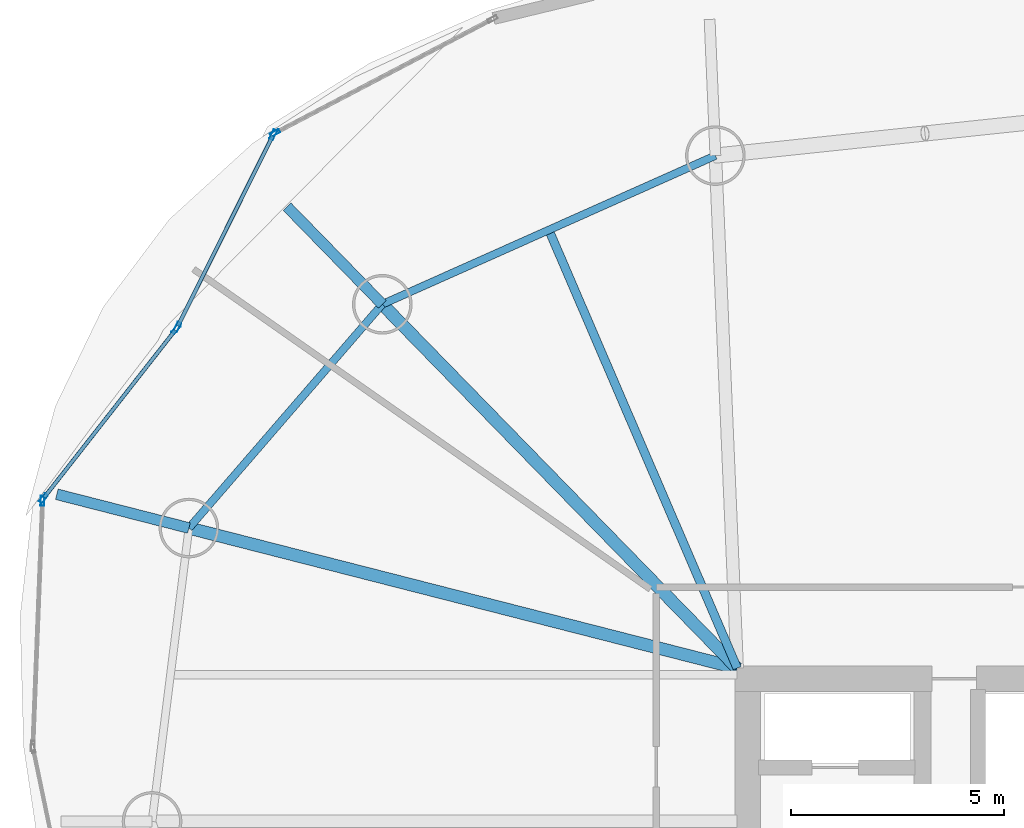
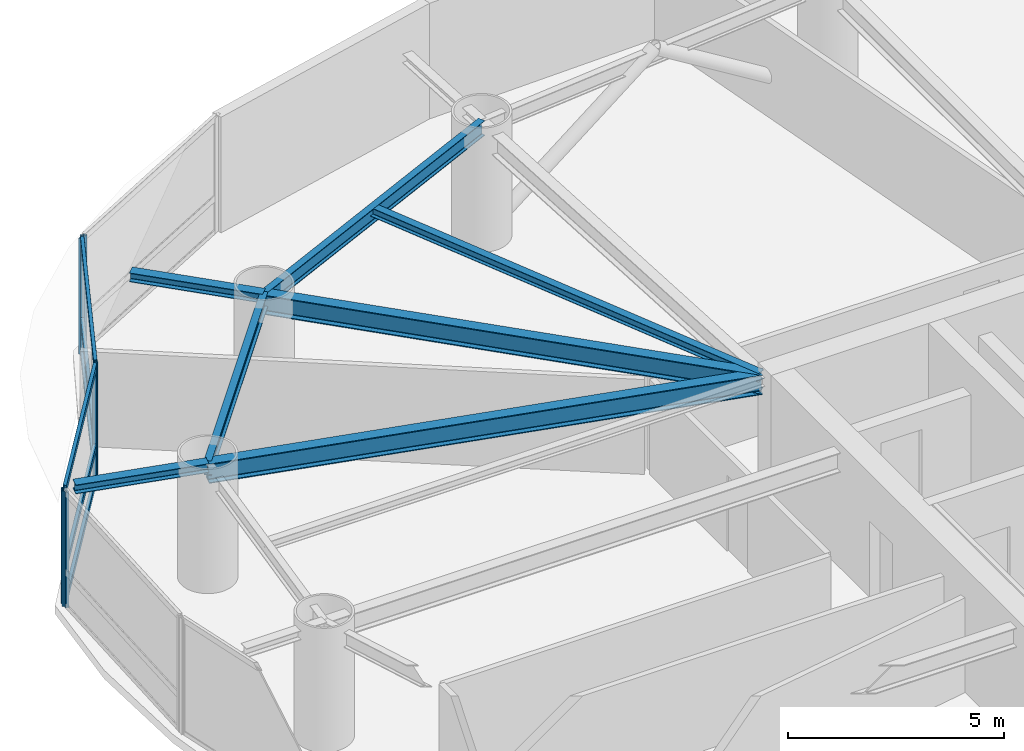
# One storey, part 13 of 23: 12 members, 7 beams, 4 elements without a shape of their own.
"""IFC4 building model written with IfcOpenShell, lengths in metres."""

from ifc_helpers import new_model, si_unit, direction, frame, origin, origin_2d, place, context, subcontext, project, spatial, hollow_rectangle, i_section, extrude, material, layer, layer_set, material_profile, profile_set, type_object, element, aggregate, save


model = new_model("IFC4")

# Units and contexts
model_context = context("Model", 3, precision=1e-05, world=origin(), true_north=direction((0.0, 1.0)))
body_context = subcontext(model_context, "Body", "Model", "MODEL_VIEW")
ifc_project = project(units=[si_unit("LENGTHUNIT", "METRE"), si_unit("AREAUNIT", "SQUARE_METRE"), si_unit("VOLUMEUNIT", "CUBIC_METRE"), si_unit("PLANEANGLEUNIT", "RADIAN"), si_unit("MASSUNIT", "GRAM", prefix="KILO")], contexts=[model_context])

# Site, building, storey
site_placement = place(None, origin())
site = spatial("IfcSite", under=ifc_project, at=site_placement, CompositionType="ELEMENT")
building_placement = place(site_placement, origin())
building = spatial("IfcBuilding", under=site, at=building_placement, Name="Bramvorn Convention Spire", CompositionType="ELEMENT")
storey_placement = place(building_placement, frame((0.0, 0.0, 158.800048828125)))
storey = spatial("IfcBuildingStorey", under=building, at=storey_placement, Name="L40", CompositionType="ELEMENT", Elevation=158.800048828125)

# Beams
ifc_material_1 = material(Name="Steel CSA G40.21 Grade 350 (350W)", Category="steel")
ifc_material_profile_1 = material_profile(ifc_material_1, i_section(OverallWidth=0.201904296875, OverallDepth=0.2470703125, WebThickness=0.00732421875, FlangeThickness=0.010986328125, FilletRadius=0.011962890625, at=origin_2d()))
ifc_profile_set_1 = profile_set([ifc_material_profile_1], Name="Steel CSA G40.21 Grade 350 (350W) - W250X49")
beam_type_1 = type_object("IfcBeamType", Name="BM-W250X49", PredefinedType="JOIST", material=ifc_profile_set_1)
beam_1_placement = place(storey_placement, frame((26.75, 33.449951171875, 3.136474609375), z_axis=(-0.394937739893, 0.918707886985, 0.0), x_axis=(-0.918707886985, -0.394937739893, 0.0)))
element("IfcBeam", 1, at=beam_1_placement, inside=storey, type_object=beam_type_1, Name="L40 composite floor joist 07", PredefinedType="JOIST", context=body_context, shape_type="SweptSolid", body=[
    extrude(i_section(OverallWidth=0.201904296875, OverallDepth=0.2470703125, WebThickness=0.00732421875, FlangeThickness=0.010986328125, FilletRadius=0.011962890625, at=origin_2d()), origin(), (0.0, 0.0, 1.0), 11.19384765625),
])
ifc_material_profile_2 = material_profile(ifc_material_1, i_section(OverallWidth=0.25390625, OverallDepth=0.2529296875, WebThickness=0.008544921875, FlangeThickness=0.01416015625, FilletRadius=0.011962890625, at=origin_2d()))
ifc_profile_set_2 = profile_set([ifc_material_profile_2], Name="Steel CSA G40.21 Grade 350 (350W) - W250X73")
beam_type_2 = type_object("IfcBeamType", Name="BM-W250X73", PredefinedType="BEAM", material=ifc_profile_set_2)
for number, where, z_axis, x_axis, name in (
    (2, (18.420166015625, 41.9892578125, 3.133544921875), (-0.69827808588, 0.715826595468, 0.0), (-0.715826595468, -0.69827808588, 0.0), "L40 slab-edge cantilever tip beam MC08"),
    (3, (13.88232421875, 36.73779296875, 3.133544921875), (-0.968868276357, 0.24757678217, 0.0), (-0.24757678217, -0.968868276357, 0.0), "L40 slab-edge cantilever tip beam MC09"),
):
    element("IfcBeam", number, at=place(storey_placement, frame(where, z_axis=z_axis, x_axis=x_axis)), inside=storey, type_object=beam_type_2, Name=name, PredefinedType="BEAM", context=body_context, shape_type="SweptSolid", body=[
        extrude(i_section(OverallWidth=0.25390625, OverallDepth=0.2529296875, WebThickness=0.008544921875, FlangeThickness=0.01416015625, FilletRadius=0.011962890625, at=origin_2d()), origin(), (0.0, 0.0, 1.0), 3.199951171875),
    ])
ifc_material_profile_3 = material_profile(ifc_material_1, i_section(OverallWidth=0.180908203125, OverallDepth=0.4169921875, WebThickness=0.010986328125, FlangeThickness=0.018310546875, FilletRadius=0.01611328125, at=origin_2d()))
ifc_profile_set_3 = profile_set([ifc_material_profile_3], Name="Steel CSA G40.21 Grade 350 (350W) - W410X85")
beam_type_3 = type_object("IfcBeamType", Name="BM-W410X85", PredefinedType="JOIST", material=ifc_profile_set_3)
beam_2_placement = place(storey_placement, frame((26.23828125, 45.478759765625, 3.051513671875), z_axis=(-0.913169534701, -0.407579931908, 0.0), x_axis=(0.407579931908, -0.913169534701, 0.0)))
element("IfcBeam", 4, at=beam_2_placement, inside=storey, type_object=beam_type_3, Name="L40 mega-column ring beam 07", PredefinedType="JOIST", context=body_context, shape_type="SweptSolid", body=[
    extrude(i_section(OverallWidth=0.180908203125, OverallDepth=0.4169921875, WebThickness=0.010986328125, FlangeThickness=0.018310546875, FilletRadius=0.01611328125, at=origin_2d()), origin(), (0.0, 0.0, 1.0), 8.5615234375),
])
beam_3_placement = place(storey_placement, frame((18.420166015625, 41.9892578125, 3.051513671875), z_axis=(-0.653824993824, -0.756645807132, 0.0), x_axis=(0.756645807132, -0.653824993824, 0.0)))
element("IfcBeam", 5, at=beam_3_placement, inside=storey, type_object=beam_type_3, Name="L40 mega-column ring beam 08", PredefinedType="JOIST", context=body_context, shape_type="SweptSolid", body=[
    extrude(i_section(OverallWidth=0.180908203125, OverallDepth=0.4169921875, WebThickness=0.010986328125, FlangeThickness=0.018310546875, FilletRadius=0.01611328125, at=origin_2d()), origin(), (0.0, 0.0, 1.0), 6.9404296875),
])
ifc_material_profile_4 = material_profile(ifc_material_1, i_section(OverallWidth=0.2919921875, OverallDepth=0.551025390625, WebThickness=0.01513671875, FlangeThickness=0.0244140625, FilletRadius=0.01904296875, at=origin_2d()))
ifc_profile_set_4 = profile_set([ifc_material_profile_4], Name="Steel CSA G40.21 Grade 350 (350W) - W530X182")
beam_type_4 = type_object("IfcBeamType", Name="BM-W530X182", PredefinedType="BEAM", material=ifc_profile_set_4)
beam_4_placement = place(storey_placement, frame((26.75, 33.449951171875, 2.984375), z_axis=(-0.698272445638, 0.715832097397, 0.0), x_axis=(-0.715832097397, -0.698272445638, 0.0)))
element("IfcBeam", 6, at=beam_4_placement, inside=storey, type_object=beam_type_4, Name="L40 radial floor girder MC08", PredefinedType="BEAM", context=body_context, shape_type="SweptSolid", body=[
    extrude(i_section(OverallWidth=0.2919921875, OverallDepth=0.551025390625, WebThickness=0.01513671875, FlangeThickness=0.0244140625, FilletRadius=0.01904296875, at=origin_2d()), origin(), (0.0, 0.0, 1.0), 11.92919921875),
])
beam_5_placement = place(storey_placement, frame((26.75, 33.449951171875, 2.984375), z_axis=(-0.968872976577, 0.247558387576, 0.0), x_axis=(-0.247558387576, -0.968872976577, 0.0)))
element("IfcBeam", 7, at=beam_5_placement, inside=storey, type_object=beam_type_4, Name="L40 radial floor girder MC09", PredefinedType="BEAM", context=body_context, shape_type="SweptSolid", body=[
    extrude(i_section(OverallWidth=0.2919921875, OverallDepth=0.551025390625, WebThickness=0.01513671875, FlangeThickness=0.0244140625, FilletRadius=0.01904296875, at=origin_2d()), origin(), (0.0, 0.0, 1.0), 13.281005859375),
])

# Curtain wall, member
ifc_material_2 = material(Name="Anodised Bronze Unitised Curtain Wall", Category="aluminium")
ifc_layer = layer(ifc_material_2, 0.219970703125)
ifc_layer_set = layer_set([ifc_layer], Name="Anodised Bronze Unitised Curtain Wall - CW-SKYGARDEN")
curtain_wall_type = type_object("IfcCurtainWallType", Name="CW-SKYGARDEN", PredefinedType="USERDEFINED", material=ifc_layer_set)
curtain_wall_1_placement = place(storey_placement, origin())
curtain_wall_1 = element("IfcCurtainWall", 8, at=curtain_wall_1_placement, inside=storey, type_object=curtain_wall_type, Name="L40 Sky Garden glazed facade 11", ObjectType="WINTER GARDEN GLAZING", PredefinedType="USERDEFINED")
ifc_material_3 = material(Name="Anodised Bronze Aluminium 6063-T6", Category="aluminium")
ifc_material_profile_5 = material_profile(ifc_material_3, hollow_rectangle(XDim=0.090087890625, YDim=0.239990234375, WallThickness=0.00439453125, InnerFilletRadius=0.0009765625, OuterFilletRadius=0.00439453125, at=origin_2d()))
ifc_profile_set_5 = profile_set([ifc_material_profile_5], Name="Anodised Bronze Aluminium 6063-T6 - CWM90X240")
member_type_1 = type_object("IfcMemberType", Name="CW-MUL-220", PredefinedType="MULLION", material=ifc_profile_set_5)
member_1_placement = place(storey_placement, frame((15.9013671875, 46.008544921875, 0.0), z_axis=(0.0, 0.0, 1.0), x_axis=(-0.464182821898, 0.885739413064, 0.0)))
member_1 = element("IfcMember", 9, at=member_1_placement, type_object=member_type_1, Name="CW4 mullion 1", PredefinedType="MULLION", context=body_context, shape_type="SweptSolid", body=[
    extrude(hollow_rectangle(XDim=0.090087890625, YDim=0.239990234375, WallThickness=0.00439453125, InnerFilletRadius=0.0009765625, OuterFilletRadius=0.00439453125, at=origin_2d()), origin(), (0.0, 0.0, 1.0), 3.260009765625),
])
aggregate(curtain_wall_1, [member_1])

# Curtain wall, members
curtain_wall_2_placement = place(storey_placement, origin())
curtain_wall_2 = element("IfcCurtainWall", 10, at=curtain_wall_2_placement, inside=storey, type_object=curtain_wall_type, Name="L40 Sky Garden glazed facade 12", ObjectType="WINTER GARDEN GLAZING", PredefinedType="USERDEFINED")
member_2_placement = place(storey_placement, frame((13.6103515625, 41.453857421875, 0.0), z_axis=(0.0, 0.0, 1.0), x_axis=(-0.89488518435, 0.446296433808, 0.0)))
member_2 = element("IfcMember", 11, at=member_2_placement, type_object=member_type_1, Name="CW4 mullion 1", PredefinedType="MULLION", context=body_context, shape_type="SweptSolid", body=[
    extrude(hollow_rectangle(XDim=0.090087890625, YDim=0.239990234375, WallThickness=0.00439453125, InnerFilletRadius=0.0009765625, OuterFilletRadius=0.00439453125, at=origin_2d()), origin(), (0.0, 0.0, 1.0), 3.260009765625),
])
member_3_placement = place(storey_placement, frame((15.861328125, 45.9677734375, 0.0), z_axis=(0.0, 0.0, 1.0), x_axis=(-0.89488518435, 0.446296433808, 0.0)))
member_3 = element("IfcMember", 12, at=member_3_placement, type_object=member_type_1, Name="CW4 mullion 2", PredefinedType="MULLION", context=body_context, shape_type="SweptSolid", body=[
    extrude(hollow_rectangle(XDim=0.090087890625, YDim=0.239990234375, WallThickness=0.00439453125, InnerFilletRadius=0.0009765625, OuterFilletRadius=0.00439453125, at=origin_2d()), origin(), (0.0, 0.0, 1.0), 3.260009765625),
])

curtain_wall_3_placement = place(storey_placement, origin())
curtain_wall_3 = element("IfcCurtainWall", 13, at=curtain_wall_3_placement, inside=storey, type_object=curtain_wall_type, Name="L40 Sky Garden glazed facade 13", ObjectType="WINTER GARDEN GLAZING", PredefinedType="USERDEFINED")
member_4_placement = place(storey_placement, frame((10.466552734375, 37.433837890625, 0.0), z_axis=(0.0, 0.0, 1.0), x_axis=(-0.78699909302, 0.616954153552, 0.0)))
member_4 = element("IfcMember", 14, at=member_4_placement, type_object=member_type_1, Name="CW4 mullion 1", PredefinedType="MULLION", context=body_context, shape_type="SweptSolid", body=[
    extrude(hollow_rectangle(XDim=0.090087890625, YDim=0.239990234375, WallThickness=0.00439453125, InnerFilletRadius=0.0009765625, OuterFilletRadius=0.00439453125, at=origin_2d()), origin(), (0.0, 0.0, 1.0), 3.260009765625),
])
member_5_placement = place(storey_placement, frame((13.578369140625, 41.4033203125, 0.0), z_axis=(0.0, 0.0, 1.0), x_axis=(-0.78699909302, 0.616954153552, 0.0)))
member_5 = element("IfcMember", 15, at=member_5_placement, type_object=member_type_1, Name="CW4 mullion 2", PredefinedType="MULLION", context=body_context, shape_type="SweptSolid", body=[
    extrude(hollow_rectangle(XDim=0.090087890625, YDim=0.239990234375, WallThickness=0.00439453125, InnerFilletRadius=0.0009765625, OuterFilletRadius=0.00439453125, at=origin_2d()), origin(), (0.0, 0.0, 1.0), 3.260009765625),
])

# Curtain wall, member
curtain_wall_4_placement = place(storey_placement, origin())
curtain_wall_4 = element("IfcCurtainWall", 16, at=curtain_wall_4_placement, inside=storey, type_object=curtain_wall_type, Name="L40 Sky Garden glazed facade 14", ObjectType="WINTER GARDEN GLAZING", PredefinedType="USERDEFINED")
member_6_placement = place(storey_placement, frame((10.44677734375, 37.380126953125, 0.0), z_axis=(0.0, 0.0, 1.0), x_axis=(-0.999223648076, 0.039396714655, 0.0)))
member_6 = element("IfcMember", 17, at=member_6_placement, type_object=member_type_1, Name="CW4 mullion 2", PredefinedType="MULLION", context=body_context, shape_type="SweptSolid", body=[
    extrude(hollow_rectangle(XDim=0.090087890625, YDim=0.239990234375, WallThickness=0.00439453125, InnerFilletRadius=0.0009765625, OuterFilletRadius=0.00439453125, at=origin_2d()), origin(), (0.0, 0.0, 1.0), 3.260009765625),
])
aggregate(curtain_wall_4, [member_6])

# Member
ifc_material_profile_6 = material_profile(ifc_material_3, hollow_rectangle(XDim=0.090087890625, YDim=0.179931640625, WallThickness=0.00439453125, InnerFilletRadius=0.0009765625, OuterFilletRadius=0.00439453125, at=origin_2d()))
ifc_profile_set_6 = profile_set([ifc_material_profile_6], Name="Anodised Bronze Aluminium 6063-T6 - CWT90X180")
member_type_2 = type_object("IfcMemberType", Name="CW-TRN-180", PredefinedType="USERDEFINED", material=ifc_profile_set_6)
member_7_placement = place(storey_placement, frame((13.623779296875, 41.480712890625, 0.030029296875), z_axis=(0.446253232102, 0.894906728569, 0.0), x_axis=(-0.894906728569, 0.446253232102, 0.0)))
member_7 = element("IfcMember", 18, at=member_7_placement, type_object=member_type_2, Name="CW4 transom 1.1", ObjectType="TRANSOM", PredefinedType="USERDEFINED", context=body_context, shape_type="SweptSolid", body=[
    extrude(hollow_rectangle(XDim=0.090087890625, YDim=0.179931640625, WallThickness=0.00439453125, InnerFilletRadius=0.0009765625, OuterFilletRadius=0.00439453125, at=origin_2d()), origin(), (0.0, 0.0, 1.0), 4.98388671875),
])

member_8_placement = place(storey_placement, frame((13.623779296875, 41.480712890625, 1.0), z_axis=(0.446253232102, 0.894906728569, 0.0), x_axis=(-0.894906728569, 0.446253232102, 0.0)))
member_8 = element("IfcMember", 19, at=member_8_placement, type_object=member_type_2, Name="CW4 transom 1.2", ObjectType="TRANSOM", PredefinedType="USERDEFINED", context=body_context, shape_type="SweptSolid", body=[
    extrude(hollow_rectangle(XDim=0.090087890625, YDim=0.179931640625, WallThickness=0.00439453125, InnerFilletRadius=0.0009765625, OuterFilletRadius=0.00439453125, at=origin_2d()), origin(), (0.0, 0.0, 1.0), 4.98388671875),
])

member_9_placement = place(storey_placement, frame((13.623779296875, 41.480712890625, 3.22998046875), z_axis=(0.446253232102, 0.894906728569, 0.0), x_axis=(-0.894906728569, 0.446253232102, 0.0)))
member_9 = element("IfcMember", 20, at=member_9_placement, type_object=member_type_2, Name="CW4 transom 1.3", ObjectType="TRANSOM", PredefinedType="USERDEFINED", context=body_context, shape_type="SweptSolid", body=[
    extrude(hollow_rectangle(XDim=0.090087890625, YDim=0.179931640625, WallThickness=0.00439453125, InnerFilletRadius=0.0009765625, OuterFilletRadius=0.00439453125, at=origin_2d()), origin(), (0.0, 0.0, 1.0), 4.98388671875),
])

aggregate(curtain_wall_2, [member_2, member_3, member_7, member_8, member_9])

member_10_placement = place(storey_placement, frame((10.485107421875, 37.45751953125, 0.030029296875), z_axis=(0.616934150401, 0.787014773729, 0.0), x_axis=(-0.787014773729, 0.616934150401, 0.0)))
member_10 = element("IfcMember", 21, at=member_10_placement, type_object=member_type_2, Name="CW4 transom 1.1", ObjectType="TRANSOM", PredefinedType="USERDEFINED", context=body_context, shape_type="SweptSolid", body=[
    extrude(hollow_rectangle(XDim=0.090087890625, YDim=0.179931640625, WallThickness=0.00439453125, InnerFilletRadius=0.0009765625, OuterFilletRadius=0.00439453125, at=origin_2d()), origin(), (0.0, 0.0, 1.0), 4.98388671875),
])

member_11_placement = place(storey_placement, frame((10.485107421875, 37.45751953125, 1.0), z_axis=(0.616934150401, 0.787014773729, 0.0), x_axis=(-0.787014773729, 0.616934150401, 0.0)))
member_11 = element("IfcMember", 22, at=member_11_placement, type_object=member_type_2, Name="CW4 transom 1.2", ObjectType="TRANSOM", PredefinedType="USERDEFINED", context=body_context, shape_type="SweptSolid", body=[
    extrude(hollow_rectangle(XDim=0.090087890625, YDim=0.179931640625, WallThickness=0.00439453125, InnerFilletRadius=0.0009765625, OuterFilletRadius=0.00439453125, at=origin_2d()), origin(), (0.0, 0.0, 1.0), 4.98388671875),
])

member_12_placement = place(storey_placement, frame((10.485107421875, 37.45751953125, 3.22998046875), z_axis=(0.616934150401, 0.787014773729, 0.0), x_axis=(-0.787014773729, 0.616934150401, 0.0)))
member_12 = element("IfcMember", 23, at=member_12_placement, type_object=member_type_2, Name="CW4 transom 1.3", ObjectType="TRANSOM", PredefinedType="USERDEFINED", context=body_context, shape_type="SweptSolid", body=[
    extrude(hollow_rectangle(XDim=0.090087890625, YDim=0.179931640625, WallThickness=0.00439453125, InnerFilletRadius=0.0009765625, OuterFilletRadius=0.00439453125, at=origin_2d()), origin(), (0.0, 0.0, 1.0), 4.98388671875),
])

aggregate(curtain_wall_3, [member_4, member_5, member_10, member_11, member_12])

save(model, "model.ifc")
